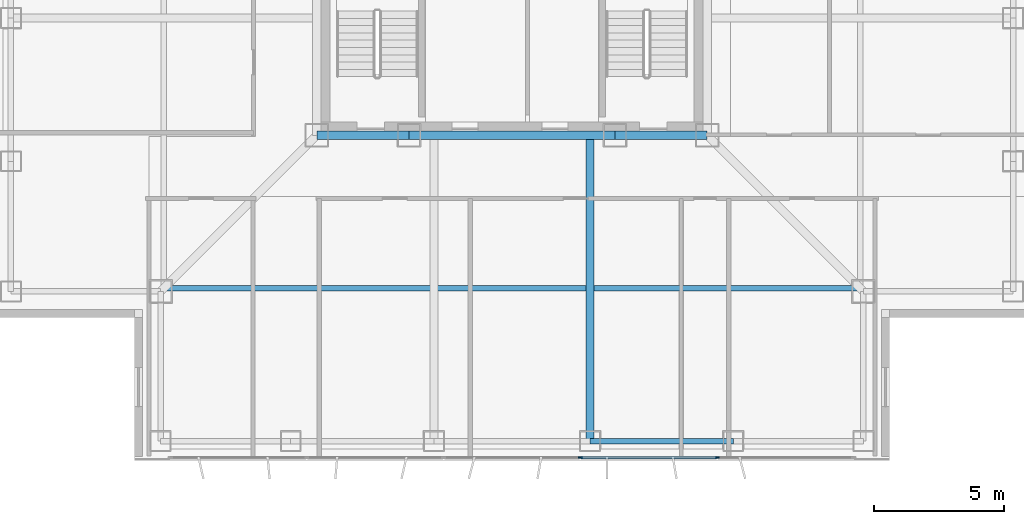
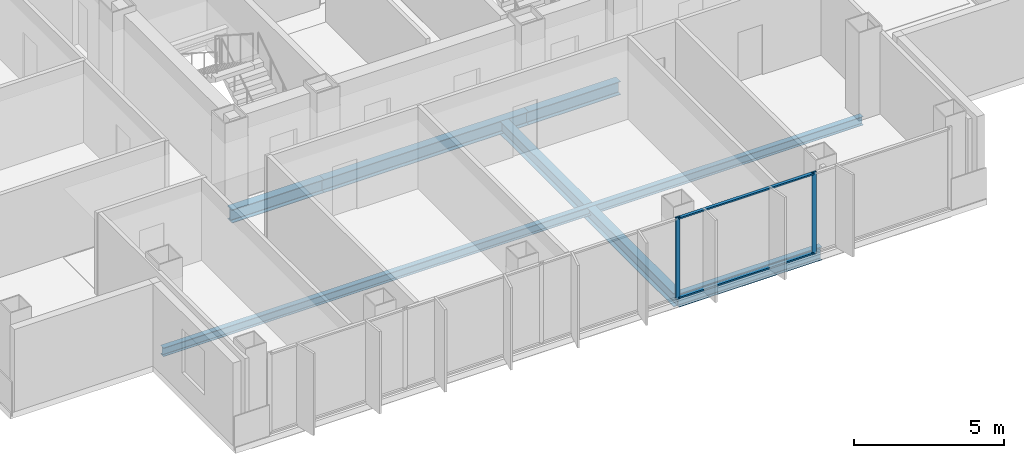
# One storey, part 3 of 15: 6 beams, 4 members, 1 element without a shape of its own.
"""IFC4 building model written with IfcOpenShell, lengths in metres."""

from ifc_helpers import new_model, si_unit, direction, frame, origin, origin_2d, place, context, subcontext, project, spatial, rectangle, i_section, extrude, material, layer, layer_set, material_profile, profile_set, type_object, element, aggregate, save


model = new_model("IFC4")

# Units and contexts
model_context = context("Model", 3, precision=1e-05, world=origin(), true_north=direction((0.0, 1.0)))
body_context = subcontext(model_context, "Body", "Model", "MODEL_VIEW")
ifc_project = project(units=[si_unit("LENGTHUNIT", "METRE"), si_unit("AREAUNIT", "SQUARE_METRE"), si_unit("VOLUMEUNIT", "CUBIC_METRE"), si_unit("PLANEANGLEUNIT", "RADIAN"), si_unit("MASSUNIT", "GRAM", prefix="KILO")], contexts=[model_context])

# Site, building, storey
site_placement = place(None, origin())
site = spatial("IfcSite", under=ifc_project, at=site_placement, CompositionType="ELEMENT")
building_placement = place(site_placement, origin())
building = spatial("IfcBuilding", under=site, at=building_placement, Name="Trevonay Congress Spire", CompositionType="ELEMENT")
storey_placement = place(building_placement, frame((0.0, 0.0, 216.60009765625)))
storey = spatial("IfcBuildingStorey", under=building, at=storey_placement, Name="L56", CompositionType="ELEMENT", Elevation=216.60009765625)

# Beams
ifc_material_1 = material(Name="Steel ASTM A572 Grade 50", Category="steel")
ifc_material_profile_1 = material_profile(ifc_material_1, i_section(OverallWidth=0.31201171875, OverallDepth=0.54296875, WebThickness=0.0126953125, FlangeThickness=0.020263671875, FilletRadius=0.014892578125, at=origin_2d()), Name="W530x150")
ifc_profile_set_1 = profile_set([ifc_material_profile_1], Name="Steel ASTM A572 Grade 50")
beam_type_1 = type_object("IfcBeamType", Name="BM-GIRD-W530X150", PredefinedType="BEAM", material=ifc_profile_set_1)
beam_1_placement = place(storey_placement, frame((-7.5, -7.5, -0.51171875), z_axis=(1.0, 0.0, 0.0), x_axis=(0.0, 1.0, 0.0)))
element("IfcBeam", 1, at=beam_1_placement, inside=storey, type_object=beam_type_1, Name="L56 structural beam BM-L56-CR-S1", PredefinedType="BEAM", context=body_context, shape_type="SweptSolid", body=[
    extrude(i_section(OverallWidth=0.31201171875, OverallDepth=0.54296875, WebThickness=0.0126953125, FlangeThickness=0.020263671875, FilletRadius=0.014892578125, at=origin_2d()), origin(), (0.0, 0.0, 1.0), 3.550048828125),
])
beam_2_placement = place(storey_placement, frame((-3.949951171875, -7.5, -0.51171875), z_axis=(1.0, 0.0, 0.0), x_axis=(0.0, 1.0, 0.0)))
element("IfcBeam", 2, at=beam_2_placement, inside=storey, type_object=beam_type_1, Name="L56 structural beam BM-L56-CR-S2", PredefinedType="BEAM", context=body_context, shape_type="SweptSolid", body=[
    extrude(i_section(OverallWidth=0.31201171875, OverallDepth=0.54296875, WebThickness=0.0126953125, FlangeThickness=0.020263671875, FilletRadius=0.014892578125, at=origin_2d()), origin(), (0.0, 0.0, 1.0), 7.89990234375),
])
beam_3_placement = place(storey_placement, frame((3.949951171875, -7.5, -0.51171875), z_axis=(1.0, 0.0, 0.0), x_axis=(0.0, 1.0, 0.0)))
element("IfcBeam", 3, at=beam_3_placement, inside=storey, type_object=beam_type_1, Name="L56 structural beam BM-L56-CR-S3", PredefinedType="BEAM", context=body_context, shape_type="SweptSolid", body=[
    extrude(i_section(OverallWidth=0.31201171875, OverallDepth=0.54296875, WebThickness=0.0126953125, FlangeThickness=0.020263671875, FilletRadius=0.014892578125, at=origin_2d()), origin(), (0.0, 0.0, 1.0), 3.550048828125),
])
beam_4_placement = place(storey_placement, frame((3.0, -7.5, -0.51171875), z_axis=(0.0, -1.0, 0.0), x_axis=(1.0, 0.0, 0.0)))
element("IfcBeam", 4, at=beam_4_placement, inside=storey, type_object=beam_type_1, Name="L56 structural beam BM-L56-GS-P", PredefinedType="BEAM", context=body_context, shape_type="SweptSolid", body=[
    extrude(i_section(OverallWidth=0.31201171875, OverallDepth=0.54296875, WebThickness=0.0126953125, FlangeThickness=0.020263671875, FilletRadius=0.014892578125, at=origin_2d()), origin(), (0.0, 0.0, 1.0), 11.75),
])
ifc_material_profile_2 = material_profile(ifc_material_1, i_section(OverallWidth=0.2119140625, OverallDepth=0.5439453125, WebThickness=0.01318359375, FlangeThickness=0.021240234375, FilletRadius=0.014892578125, at=origin_2d()), Name="W530x123")
ifc_profile_set_2 = profile_set([ifc_material_profile_2], Name="Steel ASTM A572 Grade 50")
beam_type_2 = type_object("IfcBeamType", Name="BM-RING-W530X123", PredefinedType="BEAM", material=ifc_profile_set_2)
beam_5_placement = place(storey_placement, frame((3.0, -19.25, -0.51220703125), z_axis=(1.0, 0.0, 0.0), x_axis=(0.0, 1.0, 0.0)))
element("IfcBeam", 5, at=beam_5_placement, inside=storey, type_object=beam_type_2, Name="L56 structural beam BM-L56-PS4", PredefinedType="BEAM", context=body_context, shape_type="SweptSolid", body=[
    extrude(i_section(OverallWidth=0.2119140625, OverallDepth=0.5439453125, WebThickness=0.01318359375, FlangeThickness=0.021240234375, FilletRadius=0.014892578125, at=origin_2d()), origin(), (0.0, 0.0, 1.0), 5.5),
])

# Curtain wall, members
ifc_material_2 = material(Name="Pale Anodised Aluminium EN AW-6063-T6", Category="aluminium")
ifc_layer = layer(ifc_material_2, 0.169921875, Name="Pale Anodised Aluminium EN AW-6063-T6")
ifc_layer_set = layer_set([ifc_layer], Name="Pale Anodised Aluminium EN AW-6063-T6")
curtain_wall_type = type_object("IfcCurtainWallType", Name="CW-SYS04-CORP-PALE-METAL", PredefinedType="NOTDEFINED", material=ifc_layer_set)
curtain_wall_placement = place(storey_placement, origin())
curtain_wall = element("IfcCurtainWall", 6, at=curtain_wall_placement, inside=storey, type_object=curtain_wall_type, Name="L56 S unitised curtain wall", PredefinedType="NOTDEFINED")
ifc_material_profile_3 = material_profile(ifc_material_2, rectangle(XDim=0.06005859375, YDim=0.159912109375, at=origin_2d()), Name="CW-MULLION-160-ALUMINIUM")
ifc_profile_set_3 = profile_set([ifc_material_profile_3], Name="Pale Anodised Aluminium EN AW-6063-T6")
member_type_1 = type_object("IfcMemberType", Name="CW-MULLION-160-ALUMINIUM", PredefinedType="MULLION", material=ifc_profile_set_3)
member_1_placement = place(storey_placement, frame((2.6298828125, -19.8798828125, 0.0), z_axis=(0.0, 0.0, 1.0), x_axis=(0.0, 1.0, 0.0)))
member_1 = element("IfcMember", 7, at=member_1_placement, type_object=member_type_1, Name="CW04 mullion 4", PredefinedType="MULLION", context=body_context, shape_type="SweptSolid", body=[
    extrude(rectangle(XDim=0.06005859375, YDim=0.159912109375, at=origin_2d()), origin(), (0.0, 0.0, 1.0), 3.35986328125),
])
member_2_placement = place(storey_placement, frame((7.889892578125, -19.8798828125, 0.0), z_axis=(0.0, 0.0, 1.0), x_axis=(0.0, 1.0, 0.0)))
member_2 = element("IfcMember", 8, at=member_2_placement, type_object=member_type_1, Name="CW04 mullion 5", PredefinedType="MULLION", context=body_context, shape_type="SweptSolid", body=[
    extrude(rectangle(XDim=0.06005859375, YDim=0.159912109375, at=origin_2d()), origin(), (0.0, 0.0, 1.0), 3.35986328125),
])
ifc_material_profile_4 = material_profile(ifc_material_2, rectangle(XDim=0.1201171875, YDim=0.06005859375, at=origin_2d()), Name="CW-TRANSOM-120-ALUMINIUM")
ifc_profile_set_4 = profile_set([ifc_material_profile_4], Name="Pale Anodised Aluminium EN AW-6063-T6")
member_type_2 = type_object("IfcMemberType", Name="CW-TRANSOM-120-ALUMINIUM", PredefinedType="USERDEFINED", material=ifc_profile_set_4)
member_3_placement = place(storey_placement, frame((2.659912109375, -19.8798828125, 0.059814453125), z_axis=(1.0, 0.0, 0.0), x_axis=(0.0, 1.0, 0.0)))
member_3 = element("IfcMember", 9, at=member_3_placement, type_object=member_type_2, Name="CW04 transom 4.1", ObjectType="TRANSOM", PredefinedType="USERDEFINED", context=body_context, shape_type="SweptSolid", body=[
    extrude(rectangle(XDim=0.1201171875, YDim=0.06005859375, at=origin_2d()), origin(), (0.0, 0.0, 1.0), 5.2001953125),
])
member_4_placement = place(storey_placement, frame((2.659912109375, -19.8798828125, 3.2998046875), z_axis=(1.0, 0.0, 0.0), x_axis=(0.0, 1.0, 0.0)))
member_4 = element("IfcMember", 10, at=member_4_placement, type_object=member_type_2, Name="CW04 transom 4.2", ObjectType="TRANSOM", PredefinedType="USERDEFINED", context=body_context, shape_type="SweptSolid", body=[
    extrude(rectangle(XDim=0.1201171875, YDim=0.06005859375, at=origin_2d()), origin(), (0.0, 0.0, 1.0), 5.2001953125),
])
aggregate(curtain_wall, [member_1, member_2, member_3, member_4])

# Beam
ifc_material_profile_5 = material_profile(ifc_material_1, i_section(OverallWidth=0.205078125, OverallDepth=0.35400390625, WebThickness=0.009521484375, FlangeThickness=0.016845703125, FilletRadius=0.011962890625, at=origin_2d()), Name="W360x79")
ifc_profile_set_5 = profile_set([ifc_material_profile_5], Name="Steel ASTM A572 Grade 50")
beam_type_3 = type_object("IfcBeamType", Name="JS-COMP-W360X79", PredefinedType="JOIST", material=ifc_profile_set_5)
beam_6_placement = place(storey_placement, frame((-13.5, -13.375, -0.4169921875), z_axis=(1.0, 0.0, 0.0), x_axis=(0.0, 1.0, 0.0)))
element("IfcBeam", 11, at=beam_6_placement, inside=storey, type_object=beam_type_3, Name="L56 structural beam JS-L56-RING-S", PredefinedType="JOIST", context=body_context, shape_type="SweptSolid", body=[
    extrude(i_section(OverallWidth=0.205078125, OverallDepth=0.35400390625, WebThickness=0.009521484375, FlangeThickness=0.016845703125, FilletRadius=0.011962890625, at=origin_2d()), origin(), (0.0, 0.0, 1.0), 27.0),
])

save(model, "model.ifc")
